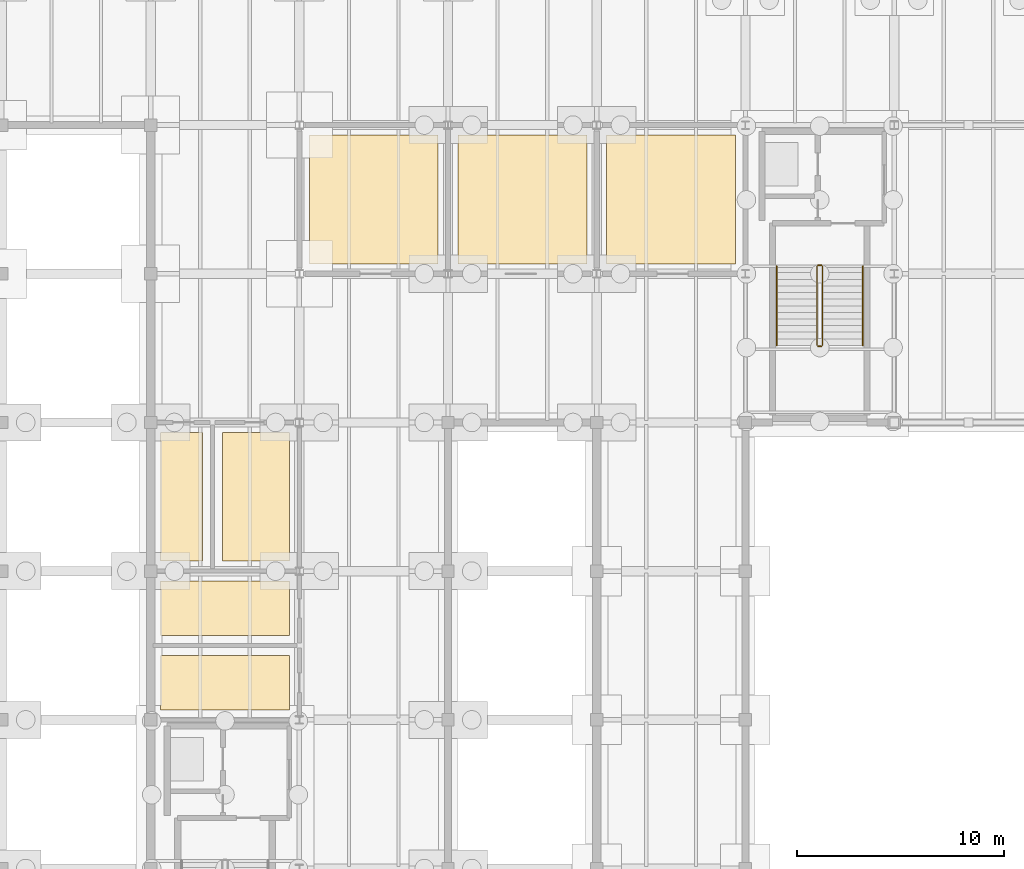
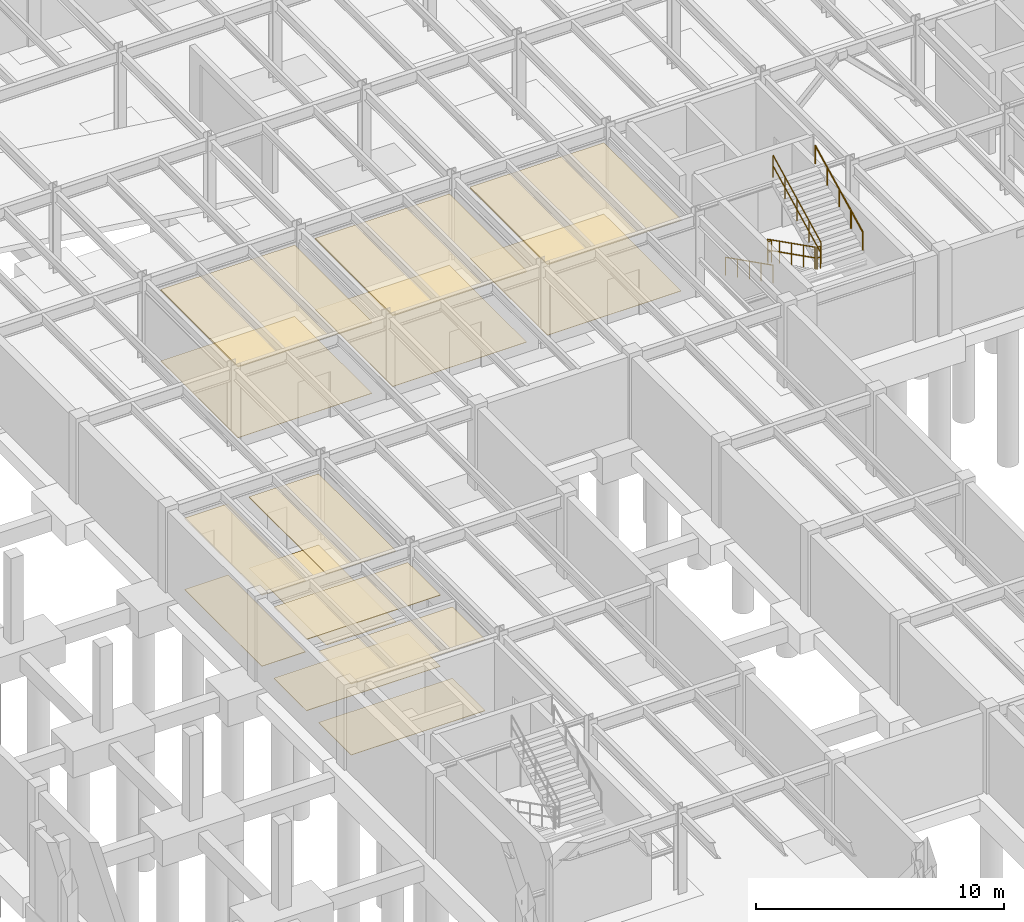
# One storey, part 43 of 46: 14 coverings, 6 railings.
"""IFC4 building model written with IfcOpenShell, lengths in metres."""

from ifc_helpers import new_model, si_unit, direction, frame, origin, origin_2d, place, context, subcontext, project, spatial, polyline, circle, outline, extrude, material, layer, layer_set, type_object, element, save


model = new_model("IFC4")

# Units and contexts
model_context = context("Model", 3, precision=1e-05, world=origin(), true_north=direction((0.0, 1.0)))
body_context = subcontext(model_context, "Body", "Model", "MODEL_VIEW")
ifc_project = project(units=[si_unit("LENGTHUNIT", "METRE"), si_unit("AREAUNIT", "SQUARE_METRE"), si_unit("VOLUMEUNIT", "CUBIC_METRE"), si_unit("PLANEANGLEUNIT", "RADIAN"), si_unit("MASSUNIT", "GRAM", prefix="KILO")], contexts=[model_context])

# Site, building, storey
site_placement = place(None, origin())
site = spatial("IfcSite", under=ifc_project, at=site_placement, CompositionType="ELEMENT")
building_placement = place(site_placement, origin())
building = spatial("IfcBuilding", under=site, at=building_placement, Name="Sillqori Civic Hall", CompositionType="ELEMENT")
storey_placement = place(building_placement, frame((0.0, 0.0, -4.199951171875)))
storey = spatial("IfcBuildingStorey", under=building, at=storey_placement, Name="B01", CompositionType="ELEMENT", Elevation=-4.199951171875)

# Coverings
ifc_material_1 = material(Name="Acoustic Gypsum Board Assembly 28", Category="gypsum")
ifc_layer_1 = layer(ifc_material_1, 0.028076171875)
ifc_layer_set_1 = layer_set([ifc_layer_1], Name="Acoustic Gypsum Board Assembly 28")
covering_type_1 = type_object("IfcCoveringType", Name="COV-CEIL-G28", PredefinedType="CEILING", material=ifc_layer_set_1)
covering_1_placement = place(storey_placement, frame((0.0, 0.0, 3.501953125)))
element("IfcCovering", 1, at=covering_1_placement, inside=storey, type_object=covering_type_1, Name="B01 Public Female WC acoustic ceiling", PredefinedType="CEILING", context=body_context, shape_type="SweptSolid", body=[
    extrude(outline(polyline([(22.080078125, 68.8798828125), (28.320068359375, 68.8798828125), (28.320068359375, 71.52001953125), (22.080078125, 71.52001953125), (22.080078125, 68.8798828125)])), origin(), (0.0, 0.0, 1.0), 0.028076171875),
])
ifc_material_2 = material(Name="Acoustic Gypsum Board Assembly 34", Category="gypsum")
ifc_layer_2 = layer(ifc_material_2, 0.033935546875)
ifc_layer_set_2 = layer_set([ifc_layer_2], Name="Acoustic Gypsum Board Assembly 34")
covering_type_2 = type_object("IfcCoveringType", Name="COV-CEIL-G34", PredefinedType="CEILING", material=ifc_layer_set_2)
covering_2_placement = place(storey_placement, frame((0.0, 0.0, 3.495849609375)))
element("IfcCovering", 2, at=covering_2_placement, inside=storey, type_object=covering_type_2, Name="B01 Accessible WC acoustic ceiling", PredefinedType="CEILING", context=body_context, shape_type="SweptSolid", body=[
    extrude(outline(polyline([(22.080078125, 72.47998046875), (24.1201171875, 72.47998046875), (24.1201171875, 78.719970703125), (22.080078125, 78.719970703125), (22.080078125, 72.47998046875)])), origin(), (0.0, 0.0, 1.0), 0.0341796875),
])
ifc_material_3 = material(Name="Perforated Metal Coffer Panel 64", Category="aluminium")
ifc_layer_3 = layer(ifc_material_3, 0.06396484375)
ifc_layer_set_3 = layer_set([ifc_layer_3], Name="Perforated Metal Coffer Panel 64")
covering_type_3 = type_object("IfcCoveringType", Name="COV-CEIL-M64", PredefinedType="CEILING", material=ifc_layer_set_3)
covering_3_placement = place(storey_placement, frame((0.0, 0.0, 3.466064453125)))
element("IfcCovering", 3, at=covering_3_placement, inside=storey, type_object=covering_type_3, Name="Domestic Cold Water Cistern and Booster Room acoustic ceiling", PredefinedType="CEILING", context=body_context, shape_type="SweptSolid", body=[
    extrude(outline(polyline([(36.47998046875, 86.8798828125), (42.719970703125, 86.8798828125), (42.719970703125, 93.1201171875), (36.47998046875, 93.1201171875), (36.47998046875, 86.8798828125)])), origin(), (0.0, 0.0, 1.0), 0.06396484375),
])
ifc_material_4 = material(Name="Perforated Metal Coffer Panel 70", Category="aluminium")
ifc_layer_4 = layer(ifc_material_4, 0.070068359375)
ifc_layer_set_4 = layer_set([ifc_layer_4], Name="Perforated Metal Coffer Panel 70")
covering_type_4 = type_object("IfcCoveringType", Name="COV-CEIL-M70", PredefinedType="CEILING", material=ifc_layer_set_4)
covering_4_placement = place(storey_placement, frame((0.0, 0.0, 3.4599609375)))
element("IfcCovering", 4, at=covering_4_placement, inside=storey, type_object=covering_type_4, Name="Fire Protection Pump and Sprinkler Valve Room acoustic ceiling", PredefinedType="CEILING", context=body_context, shape_type="SweptSolid", body=[
    extrude(outline(polyline([(43.679931640625, 86.8798828125), (49.919921875, 86.8798828125), (49.919921875, 93.1201171875), (43.679931640625, 93.1201171875), (43.679931640625, 86.8798828125)])), origin(), (0.0, 0.0, 1.0), 0.070068359375),
])
ifc_material_5 = material(Name="Micro-Perforated Aluminium Plank Ceiling", Category="aluminium")
ifc_layer_5 = layer(ifc_material_5, 0.035888671875)
ifc_layer_set_5 = layer_set([ifc_layer_5], Name="Micro-Perforated Aluminium Plank Ceiling")
covering_type_5 = type_object("IfcCoveringType", Name="COV-CEIL-MET", PredefinedType="CEILING", material=ifc_layer_set_5)
covering_5_placement = place(storey_placement, frame((0.0, 0.0, 3.493896484375)))
element("IfcCovering", 5, at=covering_5_placement, inside=storey, type_object=covering_type_5, Name="B01 Public Male WC acoustic ceiling", PredefinedType="CEILING", context=body_context, shape_type="SweptSolid", body=[
    extrude(outline(polyline([(22.080078125, 65.280029296875), (28.320068359375, 65.280029296875), (28.320068359375, 67.919921875), (22.080078125, 67.919921875), (22.080078125, 65.280029296875)])), origin(), (0.0, 0.0, 1.0), 0.0361328125),
])
ifc_material_6 = material(Name="Andean Cedar Slatted Baffle 46", Category="timber")
ifc_layer_6 = layer(ifc_material_6, 0.0458984375)
ifc_layer_set_6 = layer_set([ifc_layer_6], Name="Andean Cedar Slatted Baffle 46")
covering_type_6 = type_object("IfcCoveringType", Name="COV-CEIL-T46", PredefinedType="CEILING", material=ifc_layer_set_6)
covering_6_placement = place(storey_placement, frame((0.0, 0.0, 3.48388671875)))
element("IfcCovering", 6, at=covering_6_placement, inside=storey, type_object=covering_type_6, Name="B01 Staff Sanitary and Cleaners Room acoustic ceiling", PredefinedType="CEILING", context=body_context, shape_type="SweptSolid", body=[
    extrude(outline(polyline([(25.080078125, 72.47998046875), (28.320068359375, 72.47998046875), (28.320068359375, 78.719970703125), (25.080078125, 78.719970703125), (25.080078125, 72.47998046875)])), origin(), (0.0, 0.0, 1.0), 0.046142578125),
])
ifc_material_7 = material(Name="Andean Cedar Deep Baffle 58", Category="timber")
ifc_layer_7 = layer(ifc_material_7, 0.05810546875)
ifc_layer_set_7 = layer_set([ifc_layer_7], Name="Andean Cedar Deep Baffle 58")
covering_type_7 = type_object("IfcCoveringType", Name="COV-CEIL-T58", PredefinedType="CEILING", material=ifc_layer_set_7)
covering_7_placement = place(storey_placement, frame((0.0, 0.0, 3.471923828125)))
element("IfcCovering", 7, at=covering_7_placement, inside=storey, type_object=covering_type_7, Name="Emergency Standby Generator Hall acoustic ceiling", PredefinedType="CEILING", context=body_context, shape_type="SweptSolid", body=[
    extrude(outline(polyline([(29.280029296875, 86.8798828125), (35.52001953125, 86.8798828125), (35.52001953125, 93.1201171875), (29.280029296875, 93.1201171875), (29.280029296875, 86.8798828125)])), origin(), (0.0, 0.0, 1.0), 0.05810546875),
])
ifc_material_8 = material(Name="Dust-Sealed Heavy-Duty Archive Epoxy", Category="resin")
ifc_layer_8 = layer(ifc_material_8, 0.014892578125)
ifc_layer_set_8 = layer_set([ifc_layer_8], Name="Dust-Sealed Heavy-Duty Archive Epoxy")
covering_type_8 = type_object("IfcCoveringType", Name="COV-FLR-EPX", PredefinedType="FLOORING", material=ifc_layer_set_8)
covering_8_placement = place(storey_placement, origin())
element("IfcCovering", 8, at=covering_8_placement, inside=storey, type_object=covering_type_8, Name="Emergency Standby Generator Hall floor finish", PredefinedType="FLOORING", context=body_context, shape_type="SweptSolid", body=[
    extrude(outline(polyline([(29.280029296875, 86.8798828125), (35.52001953125, 86.8798828125), (35.52001953125, 93.1201171875), (29.280029296875, 93.1201171875), (29.280029296875, 86.8798828125)])), origin(), (0.0, 0.0, 1.0), 0.014892578125),
])
covering_9_placement = place(storey_placement, origin())
element("IfcCovering", 9, at=covering_9_placement, inside=storey, type_object=covering_type_8, Name="Domestic Cold Water Cistern and Booster Room floor finish", PredefinedType="FLOORING", context=body_context, shape_type="SweptSolid", body=[
    extrude(outline(polyline([(36.47998046875, 86.8798828125), (42.719970703125, 86.8798828125), (42.719970703125, 93.1201171875), (36.47998046875, 93.1201171875), (36.47998046875, 86.8798828125)])), origin(), (0.0, 0.0, 1.0), 0.014892578125),
])
covering_10_placement = place(storey_placement, origin())
element("IfcCovering", 10, at=covering_10_placement, inside=storey, type_object=covering_type_8, Name="Fire Protection Pump and Sprinkler Valve Room floor finish", PredefinedType="FLOORING", context=body_context, shape_type="SweptSolid", body=[
    extrude(outline(polyline([(43.679931640625, 86.8798828125), (49.919921875, 86.8798828125), (49.919921875, 93.1201171875), (43.679931640625, 93.1201171875), (43.679931640625, 86.8798828125)])), origin(), (0.0, 0.0, 1.0), 0.014892578125),
])
ifc_material_9 = material(Name="Slip-Resistant R11 Porcelain Tile", Category="ceramic")
ifc_layer_9 = layer(ifc_material_9, 0.02001953125)
ifc_layer_set_9 = layer_set([ifc_layer_9], Name="Slip-Resistant R11 Porcelain Tile")
covering_type_9 = type_object("IfcCoveringType", Name="COV-FLR-POR", PredefinedType="FLOORING", material=ifc_layer_set_9)
covering_11_placement = place(storey_placement, origin())
element("IfcCovering", 11, at=covering_11_placement, inside=storey, type_object=covering_type_9, Name="B01 Public Male WC floor finish", PredefinedType="FLOORING", context=body_context, shape_type="SweptSolid", body=[
    extrude(outline(polyline([(22.080078125, 65.280029296875), (28.320068359375, 65.280029296875), (28.320068359375, 67.919921875), (22.080078125, 67.919921875), (22.080078125, 65.280029296875)])), origin(), (0.0, 0.0, 1.0), 0.02001953125),
])
covering_12_placement = place(storey_placement, origin())
element("IfcCovering", 12, at=covering_12_placement, inside=storey, type_object=covering_type_9, Name="B01 Public Female WC floor finish", PredefinedType="FLOORING", context=body_context, shape_type="SweptSolid", body=[
    extrude(outline(polyline([(22.080078125, 68.8798828125), (28.320068359375, 68.8798828125), (28.320068359375, 71.52001953125), (22.080078125, 71.52001953125), (22.080078125, 68.8798828125)])), origin(), (0.0, 0.0, 1.0), 0.02001953125),
])
covering_13_placement = place(storey_placement, origin())
element("IfcCovering", 13, at=covering_13_placement, inside=storey, type_object=covering_type_9, Name="B01 Accessible WC floor finish", PredefinedType="FLOORING", context=body_context, shape_type="SweptSolid", body=[
    extrude(outline(polyline([(22.080078125, 72.47998046875), (24.1201171875, 72.47998046875), (24.1201171875, 78.719970703125), (22.080078125, 78.719970703125), (22.080078125, 72.47998046875)])), origin(), (0.0, 0.0, 1.0), 0.02001953125),
])
covering_14_placement = place(storey_placement, origin())
element("IfcCovering", 14, at=covering_14_placement, inside=storey, type_object=covering_type_9, Name="B01 Staff Sanitary and Cleaners Room floor finish", PredefinedType="FLOORING", context=body_context, shape_type="SweptSolid", body=[
    extrude(outline(polyline([(25.080078125, 72.47998046875), (28.320068359375, 72.47998046875), (28.320068359375, 78.719970703125), (25.080078125, 78.719970703125), (25.080078125, 72.47998046875)])), origin(), (0.0, 0.0, 1.0), 0.02001953125),
])

# Railings
ifc_material_10 = material(Name="Brushed Stainless Steel 316 Handrail", Category="steel")
ifc_layer_10 = layer(ifc_material_10, 0.044921875)
ifc_layer_set_10 = layer_set([ifc_layer_10], Name="Brushed Stainless Steel 316 Handrail")
railing_type_1 = type_object("IfcRailingType", Name="RLG-CORE-092", PredefinedType="HANDRAIL", material=ifc_layer_set_10)
railing_1_placement = place(storey_placement, frame((51.909912109375, 86.77001953125, 0.161376953125)))
element("IfcRailing", 15, at=railing_1_placement, inside=storey, type_object=railing_type_1, Name="B01 ST-05 stair handrail 1", PredefinedType="HANDRAIL", context=body_context, shape_type="SweptSolid", body=[
    extrude(circle(Radius=0.02392578125, at=origin_2d()), frame((0.0, 0.0, 0.8759765625), z_axis=(0.0, -0.892706606903, 0.450638340569), x_axis=(1.0, 0.0, 0.0)), (0.0, 0.0, 1.0), 4.301513671875),
    extrude(circle(Radius=0.02099609375, at=origin_2d()), origin(), (0.0, 0.0, 1.0), 0.851806640625),
    extrude(circle(Radius=0.02099609375, at=origin_2d()), frame((0.0, -0.9599609375, 0.484619140625)), (0.0, 0.0, 1.0), 0.851806640625),
    extrude(circle(Radius=0.02099609375, at=origin_2d()), frame((0.0, -1.919921875, 0.96923828125)), (0.0, 0.0, 1.0), 0.851806640625),
    extrude(circle(Radius=0.02099609375, at=origin_2d()), frame((0.0, -2.880126953125, 1.453857421875)), (0.0, 0.0, 1.0), 0.851806640625),
    extrude(circle(Radius=0.02099609375, at=origin_2d()), frame((0.0, -3.840087890625, 1.9384765625)), (0.0, 0.0, 1.0), 0.851806640625),
])
railing_2_placement = place(storey_placement, frame((56.090087890625, 82.929931640625, 2.261474609375)))
element("IfcRailing", 16, at=railing_2_placement, inside=storey, type_object=railing_type_1, Name="B01 ST-05 stair handrail 2", PredefinedType="HANDRAIL", context=body_context, shape_type="SweptSolid", body=[
    extrude(circle(Radius=0.02392578125, at=origin_2d()), frame((0.0, 0.0, 0.8759765625), z_axis=(0.0, 0.892706606903, 0.450638340569), x_axis=(-1.0, 0.0, 0.0)), (0.0, 0.0, 1.0), 4.301513671875),
    extrude(circle(Radius=0.02099609375, at=origin_2d()), origin(), (0.0, 0.0, 1.0), 0.851806640625),
    extrude(circle(Radius=0.02099609375, at=origin_2d()), frame((0.0, 0.9599609375, 0.484619140625)), (0.0, 0.0, 1.0), 0.851806640625),
    extrude(circle(Radius=0.02099609375, at=origin_2d()), frame((0.0, 1.919921875, 0.96923828125)), (0.0, 0.0, 1.0), 0.851806640625),
    extrude(circle(Radius=0.02099609375, at=origin_2d()), frame((0.0, 2.880126953125, 1.453857421875)), (0.0, 0.0, 1.0), 0.851806640625),
    extrude(circle(Radius=0.02099609375, at=origin_2d()), frame((0.0, 3.840087890625, 1.9384765625)), (0.0, 0.0, 1.0), 0.851806640625),
])
ifc_material_11 = material(Name="Galvanized Painted Steel Guardrail", Category="steel")
ifc_layer_11 = layer(ifc_material_11, 0.050048828125)
ifc_layer_set_11 = layer_set([ifc_layer_11], Name="Galvanized Painted Steel Guardrail")
railing_type_2 = type_object("IfcRailingType", Name="RLG-CORE-110", PredefinedType="GUARDRAIL", material=ifc_layer_set_11)
railing_3_placement = place(storey_placement, frame((53.8701171875, 86.77001953125, 0.161376953125)))
element("IfcRailing", 17, at=railing_3_placement, inside=storey, type_object=railing_type_2, Name="B01 ST-05 stair guard 1", PredefinedType="GUARDRAIL", context=body_context, shape_type="SweptSolid", body=[
    extrude(circle(Radius=0.02392578125, at=origin_2d()), frame((0.0, 0.0, 1.076171875), z_axis=(0.0, -0.892706606903, 0.450638340569), x_axis=(1.0, 0.0, 0.0)), (0.0, 0.0, 1.0), 4.301513671875),
    extrude(circle(Radius=0.02392578125, at=origin_2d()), frame((0.0, 0.0, 0.550048828125), z_axis=(0.0, -0.892706606903, 0.450638340569), x_axis=(1.0, 0.0, 0.0)), (0.0, 0.0, 1.0), 4.301513671875),
    extrude(circle(Radius=0.02099609375, at=origin_2d()), origin(), (0.0, 0.0, 1.0), 1.052001953125),
    extrude(circle(Radius=0.02099609375, at=origin_2d()), frame((0.0, -0.9599609375, 0.484619140625)), (0.0, 0.0, 1.0), 1.052001953125),
    extrude(circle(Radius=0.02099609375, at=origin_2d()), frame((0.0, -1.919921875, 0.96923828125)), (0.0, 0.0, 1.0), 1.052001953125),
    extrude(circle(Radius=0.02099609375, at=origin_2d()), frame((0.0, -2.880126953125, 1.453857421875)), (0.0, 0.0, 1.0), 1.052001953125),
    extrude(circle(Radius=0.02099609375, at=origin_2d()), frame((0.0, -3.840087890625, 1.9384765625)), (0.0, 0.0, 1.0), 1.052001953125),
])
railing_4_placement = place(storey_placement, frame((53.919921875, 82.8798828125, 2.099853515625)))
element("IfcRailing", 18, at=railing_4_placement, inside=storey, type_object=railing_type_2, Name="B01 ST-05 stair guard 2", PredefinedType="GUARDRAIL", context=body_context, shape_type="SweptSolid", body=[
    extrude(circle(Radius=0.02392578125, at=origin_2d()), frame((0.0, 0.0, 1.076171875), z_axis=(1.0, 0.0, 0.0), x_axis=(0.0, 1.0, 0.0)), (0.0, 0.0, 1.0), 0.16015625),
    extrude(circle(Radius=0.02392578125, at=origin_2d()), frame((0.0, 0.0, 0.550048828125), z_axis=(1.0, 0.0, 0.0), x_axis=(0.0, 1.0, 0.0)), (0.0, 0.0, 1.0), 0.16015625),
    extrude(circle(Radius=0.02099609375, at=origin_2d()), origin(), (0.0, 0.0, 1.0), 1.052001953125),
    extrude(circle(Radius=0.02099609375, at=origin_2d()), frame((0.16015625, 0.0, 0.0)), (0.0, 0.0, 1.0), 1.052001953125),
])
railing_5_placement = place(storey_placement, frame((54.1298828125, 82.929931640625, 2.261474609375)))
element("IfcRailing", 19, at=railing_5_placement, inside=storey, type_object=railing_type_2, Name="B01 ST-05 stair guard 3", PredefinedType="GUARDRAIL", context=body_context, shape_type="SweptSolid", body=[
    extrude(circle(Radius=0.02392578125, at=origin_2d()), frame((0.0, 0.0, 1.076171875), z_axis=(0.0, 0.892706606903, 0.450638340569), x_axis=(-1.0, 0.0, 0.0)), (0.0, 0.0, 1.0), 4.301513671875),
    extrude(circle(Radius=0.02392578125, at=origin_2d()), frame((0.0, 0.0, 0.550048828125), z_axis=(0.0, 0.892706606903, 0.450638340569), x_axis=(-1.0, 0.0, 0.0)), (0.0, 0.0, 1.0), 4.301513671875),
    extrude(circle(Radius=0.02099609375, at=origin_2d()), origin(), (0.0, 0.0, 1.0), 1.052001953125),
    extrude(circle(Radius=0.02099609375, at=origin_2d()), frame((0.0, 0.9599609375, 0.484619140625)), (0.0, 0.0, 1.0), 1.052001953125),
    extrude(circle(Radius=0.02099609375, at=origin_2d()), frame((0.0, 1.919921875, 0.96923828125)), (0.0, 0.0, 1.0), 1.052001953125),
    extrude(circle(Radius=0.02099609375, at=origin_2d()), frame((0.0, 2.880126953125, 1.453857421875)), (0.0, 0.0, 1.0), 1.052001953125),
    extrude(circle(Radius=0.02099609375, at=origin_2d()), frame((0.0, 3.840087890625, 1.9384765625)), (0.0, 0.0, 1.0), 1.052001953125),
])
railing_6_placement = place(storey_placement, frame((53.919921875, 86.820068359375, 0.0)))
element("IfcRailing", 20, at=railing_6_placement, inside=storey, type_object=railing_type_2, Name="B01 ST-05 stair guard 4", PredefinedType="GUARDRAIL", context=body_context, shape_type="SweptSolid", body=[
    extrude(circle(Radius=0.02392578125, at=origin_2d()), frame((0.0, 0.0, 1.076171875), z_axis=(1.0, 0.0, 0.0), x_axis=(0.0, 1.0, 0.0)), (0.0, 0.0, 1.0), 0.16015625),
    extrude(circle(Radius=0.02392578125, at=origin_2d()), frame((0.0, 0.0, 0.550048828125), z_axis=(1.0, 0.0, 0.0), x_axis=(0.0, 1.0, 0.0)), (0.0, 0.0, 1.0), 0.16015625),
    extrude(circle(Radius=0.02099609375, at=origin_2d()), origin(), (0.0, 0.0, 1.0), 1.052001953125),
    extrude(circle(Radius=0.02099609375, at=origin_2d()), frame((0.16015625, 0.0, 0.0)), (0.0, 0.0, 1.0), 1.052001953125),
])

save(model, "model.ifc")
